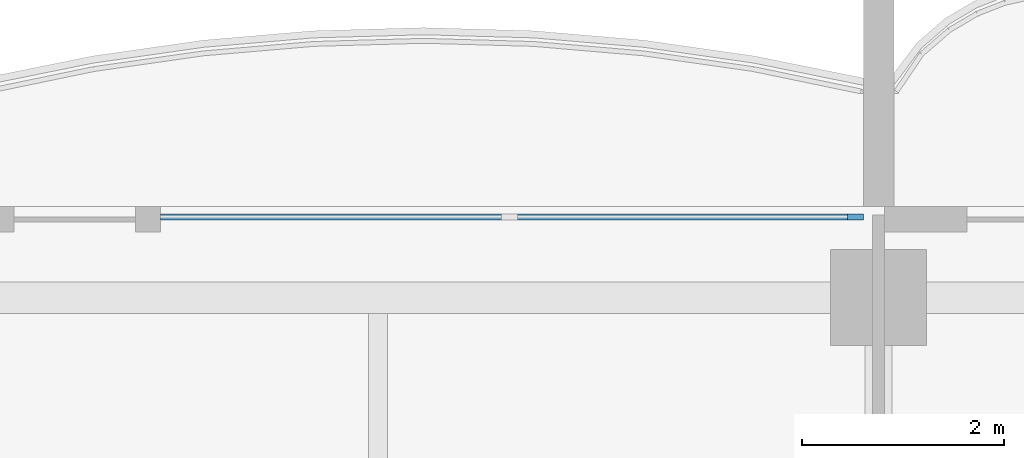
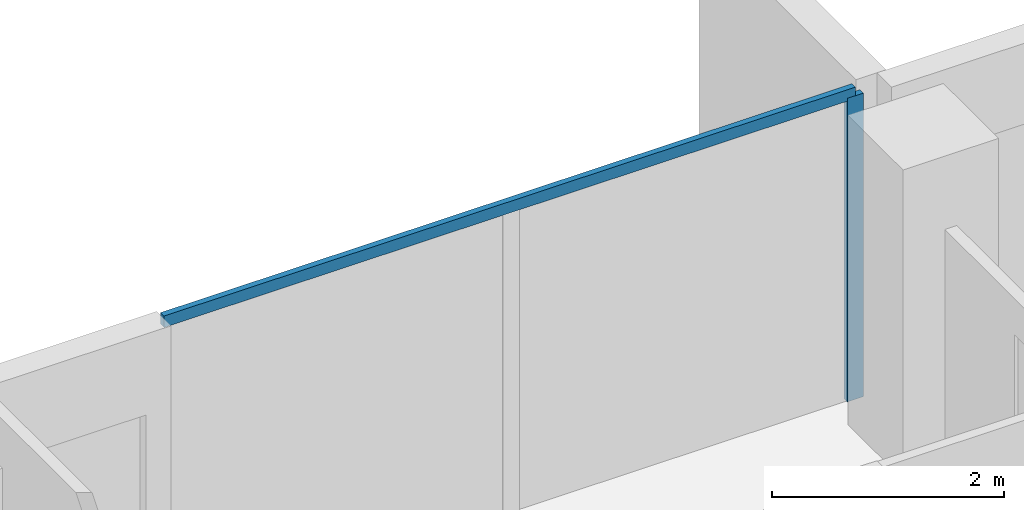
# One storey, part 6 of 18: 2 members, 1 element without a shape of its own.
"""IFC4 building model written with IfcOpenShell, lengths in metres."""

from ifc_helpers import new_model, si_unit, direction, frame, origin, origin_2d, place, context, subcontext, project, spatial, rectangle, extrude, material, material_profile, profile_set, type_object, element, aggregate, save


model = new_model("IFC4")

# Units and contexts
model_context = context("Model", 3, precision=1e-05, world=origin(), true_north=direction((0.0, 1.0)))
body_context = subcontext(model_context, "Body", "Model", "MODEL_VIEW")
ifc_project = project(units=[si_unit("LENGTHUNIT", "METRE"), si_unit("AREAUNIT", "SQUARE_METRE"), si_unit("VOLUMEUNIT", "CUBIC_METRE"), si_unit("PLANEANGLEUNIT", "RADIAN"), si_unit("MASSUNIT", "GRAM", prefix="KILO")], contexts=[model_context])

# Site, building, storey
site_placement = place(None, origin())
site = spatial("IfcSite", under=ifc_project, at=site_placement, CompositionType="ELEMENT")
building_placement = place(site_placement, origin())
building = spatial("IfcBuilding", under=site, at=building_placement, Name="Perihelion Cross Residences", CompositionType="ELEMENT")
storey_placement = place(building_placement, frame((0.0, 0.0, 177.10009765625)))
storey = spatial("IfcBuildingStorey", under=building, at=storey_placement, Name="L43", CompositionType="ELEMENT", Elevation=177.10009765625)

# Curtain wall, members
ifc_material_1 = material(Name="Bronze anodised aluminium, tinted glazing", Category="aluminium")
curtain_wall_type = type_object("IfcCurtainWallType", Name="CW1", PredefinedType="NOTDEFINED", material=ifc_material_1)
curtain_wall_placement = place(storey_placement, origin())
curtain_wall = element("IfcCurtainWall", 1, at=curtain_wall_placement, inside=storey, type_object=curtain_wall_type, Name="Curtain wall CW1 L43 east side north bay 2", PredefinedType="NOTDEFINED")
ifc_material_2 = material(Name="Bronze anodised aluminium", Category="aluminium")
ifc_material_profile_1 = material_profile(ifc_material_2, rectangle(XDim=0.06005859375, YDim=0.159912109375, at=origin_2d()), Name="CW1 mullion")
ifc_profile_set_1 = profile_set([ifc_material_profile_1], Name="Bronze anodised aluminium")
member_type_1 = type_object("IfcMemberType", Name="CW1 mullion", PredefinedType="MULLION", material=ifc_profile_set_1)
member_1_placement = place(storey_placement, frame((17.77001953125, 8.89990234375, 0.0), z_axis=(0.0, 0.0, 1.0), x_axis=(0.0, -1.0, 0.0)))
member_1 = element("IfcMember", 2, at=member_1_placement, type_object=member_type_1, Name="CW1 mullion 1", PredefinedType="MULLION", context=body_context, shape_type="SweptSolid", body=[
    extrude(rectangle(XDim=0.06005859375, YDim=0.159912109375, at=origin_2d()), origin(), (0.0, 0.0, 1.0), 3.18994140625),
])
ifc_material_3 = material(Name="Bronze anodised aluminium", Category="aluminium")
ifc_material_profile_2 = material_profile(ifc_material_3, rectangle(XDim=0.06005859375, YDim=0.1201171875, at=origin_2d()), Name="CW1 transom")
ifc_profile_set_2 = profile_set([ifc_material_profile_2], Name="Bronze anodised aluminium")
member_type_2 = type_object("IfcMemberType", Name="CW1 transom", PredefinedType="USERDEFINED", material=ifc_profile_set_2)
member_2_placement = place(storey_placement, frame((17.77001953125, 8.89990234375, 3.219970703125), z_axis=(-1.0, 0.0, 0.0), x_axis=(0.0, -1.0, 0.0)))
member_2 = element("IfcMember", 3, at=member_2_placement, type_object=member_type_2, Name="CW1 head transom", ObjectType="TRANSOM", PredefinedType="USERDEFINED", context=body_context, shape_type="SweptSolid", body=[
    extrude(rectangle(XDim=0.06005859375, YDim=0.1201171875, at=origin_2d()), origin(), (0.0, 0.0, 1.0), 6.8701171875),
])
aggregate(curtain_wall, [member_1, member_2])

save(model, "model.ifc")
